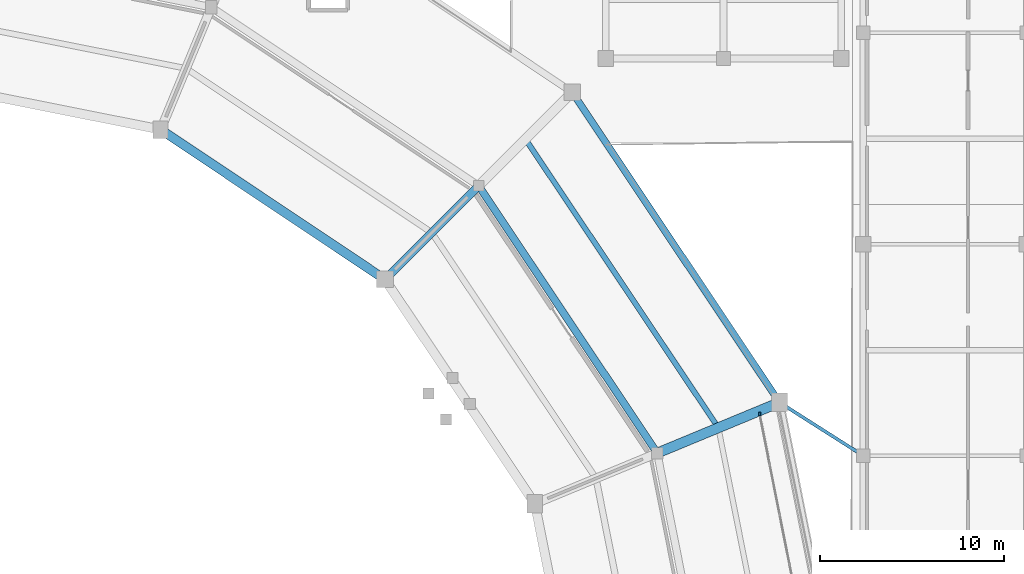
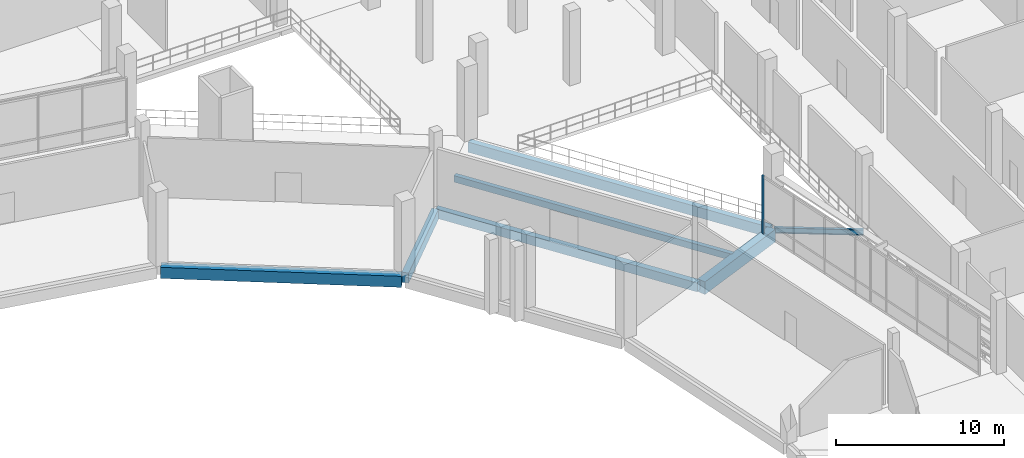
# One storey, part 43 of 114: 7 beams, 1 member, 1 element without a shape of its own.
"""IFC4 building model written with IfcOpenShell, lengths in metres."""

from ifc_helpers import new_model, si_unit, direction, frame, origin, origin_2d, place, context, subcontext, project, spatial, rectangle, i_section, extrude, material, material_profile, profile_set, type_object, element, aggregate, save


model = new_model("IFC4")

# Units and contexts
model_context = context("Model", 3, precision=1e-05, world=origin(), true_north=direction((0.0, 1.0)))
body_context = subcontext(model_context, "Body", "Model", "MODEL_VIEW")
ifc_project = project(units=[si_unit("LENGTHUNIT", "METRE"), si_unit("AREAUNIT", "SQUARE_METRE"), si_unit("VOLUMEUNIT", "CUBIC_METRE"), si_unit("PLANEANGLEUNIT", "RADIAN"), si_unit("MASSUNIT", "GRAM", prefix="KILO")], contexts=[model_context])

# Site, building, storey
site_placement = place(None, origin())
site = spatial("IfcSite", under=ifc_project, at=site_placement, CompositionType="ELEMENT")
building_placement = place(site_placement, origin())
building = spatial("IfcBuilding", under=site, at=building_placement, Name="Candeia Ridge Stadium", CompositionType="ELEMENT")
storey_placement = place(building_placement, frame((0.0, 0.0, 5.39990234375)))
storey = spatial("IfcBuildingStorey", under=building, at=storey_placement, Name="L01", CompositionType="ELEMENT", Elevation=5.39990234375)

# Curtain wall, member
ifc_material_1 = material(Name="Aluminium Anodized Warm Bronze", Category="aluminium")
curtain_wall_type = type_object("IfcCurtainWallType", Name="Concourse Recessed Unitised Curtain Wall", PredefinedType="NOTDEFINED", material=ifc_material_1)
curtain_wall_placement = place(storey_placement, origin())
curtain_wall = element("IfcCurtainWall", 1, at=curtain_wall_placement, inside=storey, type_object=curtain_wall_type, Name="Unitised curtain wall CW-BWL-L01-32", PredefinedType="NOTDEFINED")
ifc_material_profile_1 = material_profile(ifc_material_1, rectangle(XDim=0.090087890625, YDim=0.179931640625, at=origin_2d()), Name="CWM-90x180", Category="aluminium")
ifc_profile_set_1 = profile_set([ifc_material_profile_1], Name="Aluminium Anodized Warm Bronze")
member_type = type_object("IfcMemberType", Name="Curtain Wall Primary Mullion 90x180", PredefinedType="MULLION", material=ifc_profile_set_1)
member_placement = place(storey_placement, frame((187.96826171875, 114.263916015625, 0.0), z_axis=(0.0, 0.0, 1.0), x_axis=(1.0, 0.0, 0.0)))
member = element("IfcMember", 2, at=member_placement, type_object=member_type, Name="Curtain wall mullion CW-BWL-L01-32-M7", PredefinedType="MULLION", context=body_context, shape_type="SweptSolid", body=[
    extrude(rectangle(XDim=0.090087890625, YDim=0.179931640625, at=origin_2d()), origin(), (0.0, 0.0, 1.0), 4.205078125),
])
aggregate(curtain_wall, [member])

# Beams
ifc_material_2 = material(Name="Concrete C40/50", Category="concrete")
ifc_material_profile_2 = material_profile(ifc_material_2, rectangle(XDim=0.2900390625, YDim=0.469970703125, at=origin_2d()), Name="RC290x470", Category="concrete")
ifc_profile_set_2 = profile_set([ifc_material_profile_2], Name="Concrete C40/50")
beam_type_1 = type_object("IfcBeamType", Name="Floor Joist RC290x470", PredefinedType="JOIST", material=ifc_profile_set_2)
beam_1_placement = place(storey_placement, frame((185.592529296875, 113.70654296875, -0.494873046875), z_axis=(-0.555573683674, 0.831467306639, 0.0), x_axis=(-0.831467306639, -0.555573683674, 0.0)))
element("IfcBeam", 3, at=beam_1_placement, inside=storey, type_object=beam_type_1, Name="Concourse secondary joist BM-L01-0231", PredefinedType="JOIST", context=body_context, shape_type="SweptSolid", body=[
    extrude(rectangle(XDim=0.2900390625, YDim=0.469970703125, at=origin_2d()), origin(), (0.0, 0.0, 1.0), 18.440673828125),
])
ifc_material_profile_3 = material_profile(ifc_material_2, rectangle(XDim=0.429931640625, YDim=0.739990234375, at=origin_2d()), Name="RC430x740", Category="concrete")
ifc_profile_set_3 = profile_set([ifc_material_profile_3], Name="Concrete C40/50")
beam_type_2 = type_object("IfcBeamType", Name="Frame Girder RC430x740", PredefinedType="BEAM", material=ifc_profile_set_3)
beam_2_placement = place(storey_placement, frame((167.700439453125, 121.700439453125, -0.6298828125), z_axis=(0.707106781187, 0.707106781187, 0.0), x_axis=(-0.707106781187, 0.707106781187, 0.0)))
element("IfcBeam", 4, at=beam_2_placement, inside=storey, type_object=beam_type_2, Name="Bowl radial girder BM-L01-0069", PredefinedType="BEAM", context=body_context, shape_type="SweptSolid", body=[
    extrude(rectangle(XDim=0.429931640625, YDim=0.739990234375, at=origin_2d()), origin(), (0.0, 0.0, 1.0), 6.8798828125),
])
ifc_material_profile_4 = material_profile(ifc_material_2, rectangle(XDim=0.5, YDim=0.800048828125, at=origin_2d()), Name="RC500x800", Category="concrete")
ifc_profile_set_4 = profile_set([ifc_material_profile_4], Name="Concrete C40/50")
beam_type_3 = type_object("IfcBeamType", Name="Frame Girder RC500x800", PredefinedType="BEAM", material=ifc_profile_set_4)
beam_3_placement = place(storey_placement, frame((167.4541015625, 121.676025390625, -0.659912109375), z_axis=(-0.831466176057, 0.55557537569, 0.0), x_axis=(-0.55557537569, -0.831466176057, 0.0)))
element("IfcBeam", 5, at=beam_3_placement, inside=storey, type_object=beam_type_3, Name="Bowl inner ring girder BM-L01-0232", PredefinedType="BEAM", context=body_context, shape_type="SweptSolid", body=[
    extrude(rectangle(XDim=0.5, YDim=0.800048828125, at=origin_2d()), origin(), (0.0, 0.0, 1.0), 14.350830078125),
])
ifc_material_3 = material(Name="Concrete C45/55", Category="concrete")
ifc_material_profile_5 = material_profile(ifc_material_3, rectangle(XDim=0.550048828125, YDim=0.919921875, at=origin_2d()), Name="RC550x920", Category="concrete")
ifc_profile_set_5 = profile_set([ifc_material_profile_5], Name="Concrete C45/55")
beam_type_4 = type_object("IfcBeamType", Name="Frame Girder RC550x920", PredefinedType="BEAM", material=ifc_profile_set_5)
beam_4_placement = place(storey_placement, frame((182.53759765625, 112.20556640625, -0.719970703125), z_axis=(0.923880161031, 0.382681914982, 0.0), x_axis=(-0.382681914982, 0.923880161031, 0.0)))
element("IfcBeam", 6, at=beam_4_placement, inside=storey, type_object=beam_type_4, Name="Bowl radial girder BM-L01-0068", PredefinedType="BEAM", context=body_context, shape_type="SweptSolid", body=[
    extrude(rectangle(XDim=0.550048828125, YDim=0.919921875, at=origin_2d()), origin(), (0.0, 0.0, 1.0), 6.8798828125),
])
ifc_material_profile_6 = material_profile(ifc_material_3, rectangle(XDim=0.3701171875, YDim=0.739990234375, at=origin_2d()), Name="RC370x740", Category="concrete")
ifc_profile_set_6 = profile_set([ifc_material_profile_6], Name="Concrete C45/55")
beam_type_5 = type_object("IfcBeamType", Name="Spandrel Beam RC370x740", PredefinedType="SPANDREL", material=ifc_profile_set_6)
beam_5_placement = place(storey_placement, frame((188.952880859375, 115.032470703125, -0.6298828125), z_axis=(-0.555571676938, 0.831468647505, 0.0), x_axis=(-0.831468647505, -0.555571676938, 0.0)))
element("IfcBeam", 7, at=beam_5_placement, inside=storey, type_object=beam_type_5, Name="Bowl perimeter spandrel BM-L01-0229", PredefinedType="SPANDREL", context=body_context, shape_type="SweptSolid", body=[
    extrude(rectangle(XDim=0.3701171875, YDim=0.739990234375, at=origin_2d()), origin(), (0.0, 0.0, 1.0), 19.969482421875),
])
ifc_material_4 = material(Name="Steel ASTM A572 Grade 50", Category="steel")
ifc_material_profile_7 = material_profile(ifc_material_4, i_section(OverallWidth=0.178955078125, OverallDepth=0.409912109375, WebThickness=0.0087890625, FlangeThickness=0.014404296875, FilletRadius=0.011962890625, at=origin_2d()), Name="W410x67", Category="steel")
ifc_profile_set_7 = profile_set([ifc_material_profile_7], Name="Steel ASTM A572 Grade 50")
beam_type_6 = type_object("IfcBeamType", Name="Warm-Up Hall Girder W410x67", PredefinedType="BEAM", material=ifc_profile_set_7)
beam_6_placement = place(storey_placement, frame((193.557861328125, 112.02685546875, -0.494873046875), z_axis=(-0.843752479812, 0.536732477881, 0.0), x_axis=(-0.536732477881, -0.843752479812, 0.0)))
element("IfcBeam", 8, at=beam_6_placement, inside=storey, type_object=beam_type_6, Name="Wing-to-bowl tie girder BM-L01-2548", PredefinedType="BEAM", context=body_context, shape_type="SweptSolid", body=[
    extrude(i_section(OverallWidth=0.178955078125, OverallDepth=0.409912109375, WebThickness=0.0087890625, FlangeThickness=0.014404296875, FilletRadius=0.011962890625, at=origin_2d()), origin(), (0.0, 0.0, 1.0), 5.30224609375),
])
ifc_material_profile_8 = material_profile(ifc_material_2, rectangle(XDim=0.39990234375, YDim=0.64990234375, at=origin_2d()), Name="RC400x650", Category="concrete")
ifc_profile_set_8 = profile_set([ifc_material_profile_8], Name="Concrete C40/50")
beam_type_7 = type_object("IfcBeamType", Name="Wing Primary Girder RC400x650", PredefinedType="BEAM", material=ifc_profile_set_8)
beam_7_placement = place(storey_placement, frame((182.362060546875, 112.185791015625, -0.5849609375), z_axis=(-0.555578373482, 0.831464172962, 0.0), x_axis=(-0.831464172962, -0.555578373482, 0.0)))
element("IfcBeam", 9, at=beam_7_placement, inside=storey, type_object=beam_type_7, Name="Concourse spine girder BM-L01-0228", PredefinedType="BEAM", context=body_context, shape_type="SweptSolid", body=[
    extrude(rectangle(XDim=0.39990234375, YDim=0.64990234375, at=origin_2d()), origin(), (0.0, 0.0, 1.0), 17.380126953125),
])

save(model, "model.ifc")
